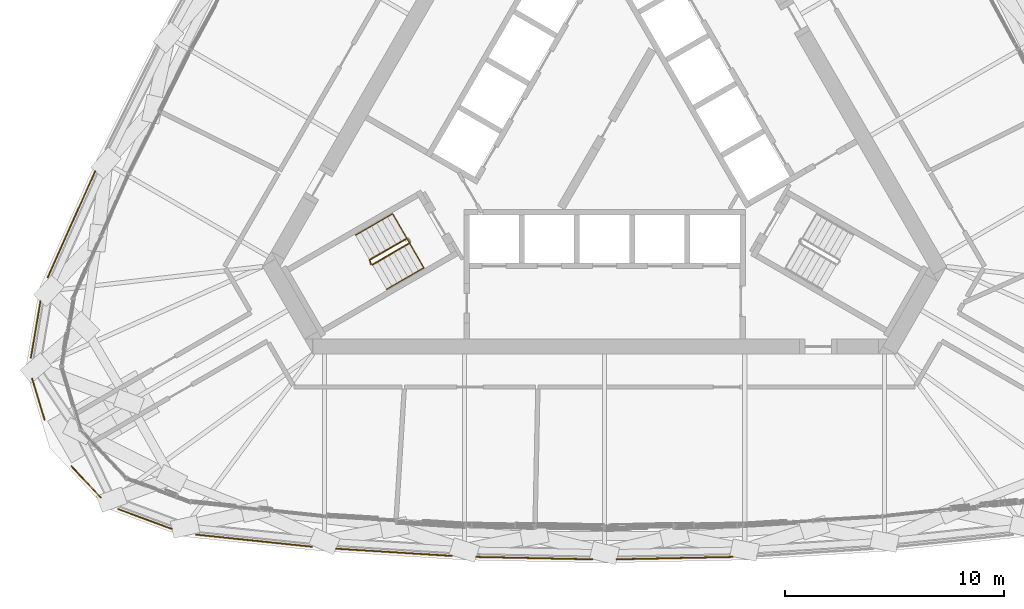
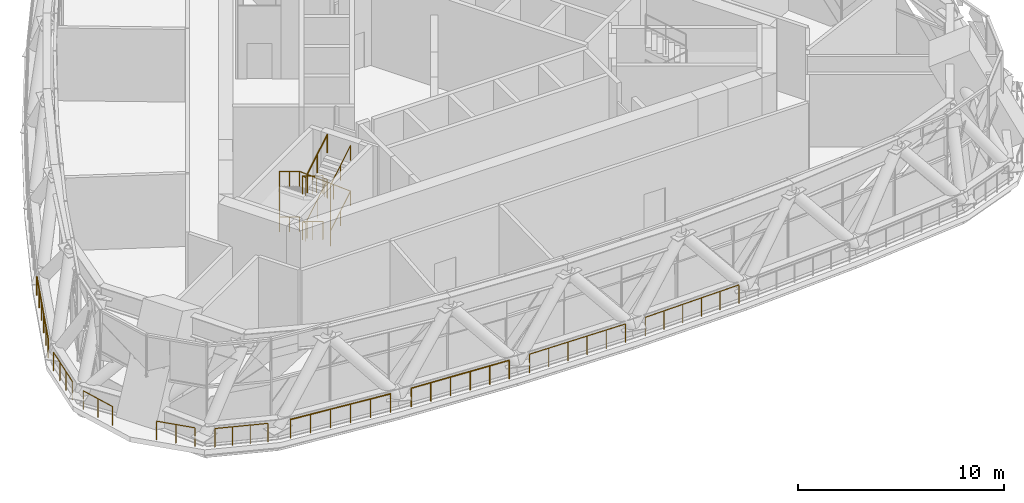
# One storey, part 30 of 33: 14 railings.
"""IFC4 building model written with IfcOpenShell, lengths in metres."""

from ifc_helpers import new_model, si_unit, direction, frame, origin, origin_2d, place, context, subcontext, project, spatial, circle, extrude, material, type_object, element, save


model = new_model("IFC4")

# Units and contexts
model_context = context("Model", 3, precision=1e-05, world=origin(), true_north=direction((0.0, 1.0)))
body_context = subcontext(model_context, "Body", "Model", "MODEL_VIEW")
ifc_project = project(units=[si_unit("LENGTHUNIT", "METRE"), si_unit("AREAUNIT", "SQUARE_METRE"), si_unit("VOLUMEUNIT", "CUBIC_METRE"), si_unit("PLANEANGLEUNIT", "RADIAN"), si_unit("MASSUNIT", "GRAM", prefix="KILO")], contexts=[model_context])

# Site, building, storey
site_placement = place(None, origin())
site = spatial("IfcSite", under=ifc_project, at=site_placement, CompositionType="ELEMENT")
building_placement = place(site_placement, origin())
building = spatial("IfcBuilding", under=site, at=building_placement, Name="Mestral Congress Tower", CompositionType="ELEMENT")
storey_placement = place(building_placement, frame((0.0, 0.0, 256.199951171875)))
storey = spatial("IfcBuildingStorey", under=building, at=storey_placement, Name="L60", CompositionType="ELEMENT", Elevation=256.199951171875)

# Railings
ifc_material_1 = material(Name="Stainless steel", Category="steel")
railing_type_1 = type_object("IfcRailingType", Name="Facade guard 1120 steel and glass", PredefinedType="GUARDRAIL", material=ifc_material_1)
railing_1_placement = place(storey_placement, frame((-18.646240234375, -18.5908203125, 0.0)))
element("IfcRailing", 1, at=railing_1_placement, inside=storey, type_object=railing_type_1, Name="Band guard F0-00", PredefinedType="GUARDRAIL", context=body_context, shape_type="SweptSolid", body=[
    extrude(circle(Radius=0.02392578125, at=origin_2d()), frame((0.0, 0.0, 1.09619140625), z_axis=(0.994617224528, -0.103617453507, 0.0), x_axis=(0.103617453507, 0.994617224528, 0.0)), (0.0, 0.0, 1.0), 5.310791015625),
    extrude(circle(Radius=0.02099609375, at=origin_2d()), origin(), (0.0, 0.0, 1.0), 1.072021484375),
    extrude(circle(Radius=0.02099609375, at=origin_2d()), frame((1.056396484375, -0.110107421875, 0.0)), (0.0, 0.0, 1.0), 1.072021484375),
    extrude(circle(Radius=0.02099609375, at=origin_2d()), frame((2.11279296875, -0.22021484375, 0.0)), (0.0, 0.0, 1.0), 1.072021484375),
    extrude(circle(Radius=0.02099609375, at=origin_2d()), frame((3.16943359375, -0.330078125, 0.0)), (0.0, 0.0, 1.0), 1.072021484375),
    extrude(circle(Radius=0.02099609375, at=origin_2d()), frame((4.225830078125, -0.440185546875, 0.0)), (0.0, 0.0, 1.0), 1.072021484375),
    extrude(circle(Radius=0.02099609375, at=origin_2d()), frame((5.2822265625, -0.55029296875, 0.0)), (0.0, 0.0, 1.0), 1.072021484375),
])
railing_2_placement = place(storey_placement, frame((-12.25439453125, -19.2333984375, 0.0)))
element("IfcRailing", 2, at=railing_2_placement, inside=storey, type_object=railing_type_1, Name="Band guard F0-01", PredefinedType="GUARDRAIL", context=body_context, shape_type="SweptSolid", body=[
    extrude(circle(Radius=0.02392578125, at=origin_2d()), frame((0.0, 0.0, 1.09619140625), z_axis=(0.9980633213, -0.062206162685, 0.0), x_axis=(0.062206162685, 0.9980633213, 0.0)), (0.0, 0.0, 1.0), 5.29833984375),
    extrude(circle(Radius=0.02099609375, at=origin_2d()), origin(), (0.0, 0.0, 1.0), 1.072021484375),
    extrude(circle(Radius=0.02099609375, at=origin_2d()), frame((1.0576171875, -0.06591796875, 0.0)), (0.0, 0.0, 1.0), 1.072021484375),
    extrude(circle(Radius=0.02099609375, at=origin_2d()), frame((2.115234375, -0.1318359375, 0.0)), (0.0, 0.0, 1.0), 1.072021484375),
    extrude(circle(Radius=0.02099609375, at=origin_2d()), frame((3.1728515625, -0.19775390625, 0.0)), (0.0, 0.0, 1.0), 1.072021484375),
    extrude(circle(Radius=0.02099609375, at=origin_2d()), frame((4.23046875, -0.263671875, 0.0)), (0.0, 0.0, 1.0), 1.072021484375),
    extrude(circle(Radius=0.02099609375, at=origin_2d()), frame((5.2880859375, -0.32958984375, 0.0)), (0.0, 0.0, 1.0), 1.072021484375),
])
railing_3_placement = place(storey_placement, frame((-5.853759765625, -19.609130859375, 0.0)))
element("IfcRailing", 3, at=railing_3_placement, inside=storey, type_object=railing_type_1, Name="Band guard F0-02", PredefinedType="GUARDRAIL", context=body_context, shape_type="SweptSolid", body=[
    extrude(circle(Radius=0.02392578125, at=origin_2d()), frame((0.0, 0.0, 1.09619140625), z_axis=(0.999784971715, -0.020736690508, 0.0), x_axis=(0.020736690508, 0.999784971715, 0.0)), (0.0, 0.0, 1.0), 5.298095703125),
    extrude(circle(Radius=0.02099609375, at=origin_2d()), origin(), (0.0, 0.0, 1.0), 1.072021484375),
    extrude(circle(Radius=0.02099609375, at=origin_2d()), frame((1.059326171875, -0.02197265625, 0.0)), (0.0, 0.0, 1.0), 1.072021484375),
    extrude(circle(Radius=0.02099609375, at=origin_2d()), frame((2.11865234375, -0.0439453125, 0.0)), (0.0, 0.0, 1.0), 1.072021484375),
    extrude(circle(Radius=0.02099609375, at=origin_2d()), frame((3.17822265625, -0.06591796875, 0.0)), (0.0, 0.0, 1.0), 1.072021484375),
    extrude(circle(Radius=0.02099609375, at=origin_2d()), frame((4.237548828125, -0.087890625, 0.0)), (0.0, 0.0, 1.0), 1.072021484375),
    extrude(circle(Radius=0.02099609375, at=origin_2d()), frame((5.296875, -0.10986328125, 0.0)), (0.0, 0.0, 1.0), 1.072021484375),
])
railing_4_placement = place(storey_placement, frame((0.556884765625, -19.718994140625, 0.0)))
element("IfcRailing", 4, at=railing_4_placement, inside=storey, type_object=railing_type_1, Name="Band guard F0-03", PredefinedType="GUARDRAIL", context=body_context, shape_type="SweptSolid", body=[
    extrude(circle(Radius=0.02392578125, at=origin_2d()), frame((0.0, 0.0, 1.09619140625), z_axis=(0.999784971715, 0.020736690508, 0.0), x_axis=(-0.020736690508, 0.999784971715, 0.0)), (0.0, 0.0, 1.0), 5.298095703125),
    extrude(circle(Radius=0.02099609375, at=origin_2d()), origin(), (0.0, 0.0, 1.0), 1.072021484375),
    extrude(circle(Radius=0.02099609375, at=origin_2d()), frame((1.059326171875, 0.02197265625, 0.0)), (0.0, 0.0, 1.0), 1.072021484375),
    extrude(circle(Radius=0.02099609375, at=origin_2d()), frame((2.11865234375, 0.0439453125, 0.0)), (0.0, 0.0, 1.0), 1.072021484375),
    extrude(circle(Radius=0.02099609375, at=origin_2d()), frame((3.17822265625, 0.06591796875, 0.0)), (0.0, 0.0, 1.0), 1.072021484375),
    extrude(circle(Radius=0.02099609375, at=origin_2d()), frame((4.237548828125, 0.087890625, 0.0)), (0.0, 0.0, 1.0), 1.072021484375),
    extrude(circle(Radius=0.02099609375, at=origin_2d()), frame((5.296875, 0.10986328125, 0.0)), (0.0, 0.0, 1.0), 1.072021484375),
])
railing_5_placement = place(storey_placement, frame((-23.2587890625, -2.003173828125, 0.0)))
element("IfcRailing", 5, at=railing_5_placement, inside=storey, type_object=railing_type_1, Name="Band guard F2-05", PredefinedType="GUARDRAIL", context=body_context, shape_type="SweptSolid", body=[
    extrude(circle(Radius=0.02392578125, at=origin_2d()), frame((0.0, 0.0, 1.09619140625), z_axis=(-0.407596762386, -0.913162022476, 0.0), x_axis=(0.913162022476, -0.407596762386, 0.0)), (0.0, 0.0, 1.0), 5.310546875),
    extrude(circle(Radius=0.02099609375, at=origin_2d()), origin(), (0.0, 0.0, 1.0), 1.072021484375),
    extrude(circle(Radius=0.02099609375, at=origin_2d()), frame((-0.432861328125, -0.969970703125, 0.0)), (0.0, 0.0, 1.0), 1.072021484375),
    extrude(circle(Radius=0.02099609375, at=origin_2d()), frame((-0.86572265625, -1.939697265625, 0.0)), (0.0, 0.0, 1.0), 1.072021484375),
    extrude(circle(Radius=0.02099609375, at=origin_2d()), frame((-1.298828125, -2.90966796875, 0.0)), (0.0, 0.0, 1.0), 1.072021484375),
    extrude(circle(Radius=0.02099609375, at=origin_2d()), frame((-1.731689453125, -3.87939453125, 0.0)), (0.0, 0.0, 1.0), 1.072021484375),
    extrude(circle(Radius=0.02099609375, at=origin_2d()), frame((-2.16455078125, -4.849365234375, 0.0)), (0.0, 0.0, 1.0), 1.072021484375),
])
railing_6_placement = place(storey_placement, frame((-25.75390625, -7.941650390625, 0.0)))
element("IfcRailing", 6, at=railing_6_placement, inside=storey, type_object=railing_type_1, Name="Band guard K2-0", PredefinedType="GUARDRAIL", context=body_context, shape_type="SweptSolid", body=[
    extrude(circle(Radius=0.02392578125, at=origin_2d()), frame((0.0, 0.0, 1.09619140625), z_axis=(-0.167675521234, -0.985842238687, 0.0), x_axis=(0.985842238687, -0.167675521234, 0.0)), (0.0, 0.0, 1.0), 2.609130859375),
    extrude(circle(Radius=0.02099609375, at=origin_2d()), origin(), (0.0, 0.0, 1.0), 1.072021484375),
    extrude(circle(Radius=0.02099609375, at=origin_2d()), frame((-0.145751953125, -0.857421875, 0.0)), (0.0, 0.0, 1.0), 1.072021484375),
    extrude(circle(Radius=0.02099609375, at=origin_2d()), frame((-0.291748046875, -1.71484375, 0.0)), (0.0, 0.0, 1.0), 1.072021484375),
    extrude(circle(Radius=0.02099609375, at=origin_2d()), frame((-0.4375, -2.572265625, 0.0)), (0.0, 0.0, 1.0), 1.072021484375),
])
railing_7_placement = place(storey_placement, frame((-26.13134765625, -11.475341796875, 0.0)))
element("IfcRailing", 7, at=railing_7_placement, inside=storey, type_object=railing_type_1, Name="Band guard K2-1", PredefinedType="GUARDRAIL", context=body_context, shape_type="SweptSolid", body=[
    extrude(circle(Radius=0.02392578125, at=origin_2d()), frame((0.0, 0.0, 1.09619140625), z_axis=(0.288761854153, -0.957400956541, 0.0), x_axis=(0.957400956541, 0.288761854153, 0.0)), (0.0, 0.0, 1.0), 1.947998046875),
    extrude(circle(Radius=0.02099609375, at=origin_2d()), origin(), (0.0, 0.0, 1.0), 1.072021484375),
    extrude(circle(Radius=0.02099609375, at=origin_2d()), frame((0.28125, -0.9326171875, 0.0)), (0.0, 0.0, 1.0), 1.072021484375),
    extrude(circle(Radius=0.02099609375, at=origin_2d()), frame((0.5625, -1.864990234375, 0.0)), (0.0, 0.0, 1.0), 1.072021484375),
])
railing_8_placement = place(storey_placement, frame((-24.33740234375, -15.472900390625, 0.0)))
element("IfcRailing", 8, at=railing_8_placement, inside=storey, type_object=railing_type_1, Name="Band guard K2-2", PredefinedType="GUARDRAIL", context=body_context, shape_type="SweptSolid", body=[
    extrude(circle(Radius=0.02392578125, at=origin_2d()), frame((0.0, 0.0, 1.09619140625), z_axis=(0.684703707321, -0.728821537264, 0.0), x_axis=(0.728821537264, 0.684703707321, 0.0)), (0.0, 0.0, 1.0), 1.947998046875),
    extrude(circle(Radius=0.02099609375, at=origin_2d()), origin(), (0.0, 0.0, 1.0), 1.072021484375),
    extrude(circle(Radius=0.02099609375, at=origin_2d()), frame((0.6669921875, -0.7099609375, 0.0)), (0.0, 0.0, 1.0), 1.072021484375),
    extrude(circle(Radius=0.02099609375, at=origin_2d()), frame((1.333740234375, -1.419677734375, 0.0)), (0.0, 0.0, 1.0), 1.072021484375),
])
railing_9_placement = place(storey_placement, frame((-22.200927734375, -17.42529296875, 0.0)))
element("IfcRailing", 9, at=railing_9_placement, inside=storey, type_object=railing_type_1, Name="Band guard K2-3", PredefinedType="GUARDRAIL", context=body_context, shape_type="SweptSolid", body=[
    extrude(circle(Radius=0.02392578125, at=origin_2d()), frame((0.0, 0.0, 1.09619140625), z_axis=(0.937569171184, -0.347798863203, 0.0), x_axis=(0.347798863203, 0.937569171184, 0.0)), (0.0, 0.0, 1.0), 2.609130859375),
    extrude(circle(Radius=0.02099609375, at=origin_2d()), origin(), (0.0, 0.0, 1.0), 1.072021484375),
    extrude(circle(Radius=0.02099609375, at=origin_2d()), frame((0.8154296875, -0.302490234375, 0.0)), (0.0, 0.0, 1.0), 1.072021484375),
    extrude(circle(Radius=0.02099609375, at=origin_2d()), frame((1.630859375, -0.60498046875, 0.0)), (0.0, 0.0, 1.0), 1.072021484375),
    extrude(circle(Radius=0.02099609375, at=origin_2d()), frame((2.4462890625, -0.907470703125, 0.0)), (0.0, 0.0, 1.0), 1.072021484375),
])
ifc_material_2 = material(Name="Steel balustrade", Category="steel")
railing_type_2 = type_object("IfcRailingType", Name="Stair guard 1100", PredefinedType="GUARDRAIL", material=ifc_material_2)
railing_10_placement = place(storey_placement, frame((-9.02587890625, -5.066650390625, 0.168701171875)))
element("IfcRailing", 10, at=railing_10_placement, inside=storey, type_object=railing_type_2, Name="L60 ST3 stair guard 1", PredefinedType="GUARDRAIL", context=body_context, shape_type="SweptSolid", body=[
    extrude(circle(Radius=0.02392578125, at=origin_2d()), frame((0.0, 0.0, 1.076171875), z_axis=(-0.741730552229, -0.428204578836, 0.516213741153), x_axis=(0.499970440388, -0.866042469362, 0.0)), (0.0, 0.0, 1.0), 2.28857421875),
    extrude(circle(Radius=0.02392578125, at=origin_2d()), frame((-1.697509765625, -0.97998046875, 2.25732421875), z_axis=(0.275815366736, -0.96121063429, 0.0), x_axis=(0.96121063429, 0.275815366736, 0.0)), (0.0, 0.0, 1.0), 0.206298828125),
    extrude(circle(Radius=0.02099609375, at=origin_2d()), origin(), (0.0, 0.0, 1.0), 1.052001953125),
    extrude(circle(Radius=0.02099609375, at=origin_2d()), frame((-0.8486328125, -0.489990234375, 0.5908203125)), (0.0, 0.0, 1.0), 1.052001953125),
    extrude(circle(Radius=0.02099609375, at=origin_2d()), frame((-1.697509765625, -0.97998046875, 1.181396484375)), (0.0, 0.0, 1.0), 1.052001953125),
    extrude(circle(Radius=0.02099609375, at=origin_2d()), frame((-1.640625, -1.17822265625, 1.181396484375)), (0.0, 0.0, 1.0), 1.052001953125),
])
railing_11_placement = place(storey_placement, frame((-10.598388671875, -6.26318359375, 1.518798828125)))
element("IfcRailing", 11, at=railing_11_placement, inside=storey, type_object=railing_type_2, Name="L60 ST3 stair guard 2", PredefinedType="GUARDRAIL", context=body_context, shape_type="SweptSolid", body=[
    extrude(circle(Radius=0.02392578125, at=origin_2d()), frame((0.0, 0.0, 1.076171875), z_axis=(0.741771397394, 0.428228158944, 0.516135484049), x_axis=(-0.499970440388, 0.866042469362, 0.0)), (0.0, 0.0, 1.0), 2.28857421875),
    extrude(circle(Radius=0.02392578125, at=origin_2d()), frame((1.697509765625, 0.97998046875, 2.25732421875), z_axis=(0.258736085224, 0.965948051503, 0.0), x_axis=(-0.965948051503, 0.258736085224, 0.0)), (0.0, 0.0, 1.0), 0.07080078125),
    extrude(circle(Radius=0.02392578125, at=origin_2d()), frame((1.7158203125, 1.04833984375, 2.25732421875), z_axis=(-0.499816412211, 0.866131372301, 0.0), x_axis=(-0.866131372301, -0.499816412211, 0.0)), (0.0, 0.0, 1.0), 0.14990234375),
    extrude(circle(Radius=0.02099609375, at=origin_2d()), origin(), (0.0, 0.0, 1.0), 1.052001953125),
    extrude(circle(Radius=0.02099609375, at=origin_2d()), frame((0.8486328125, 0.489990234375, 0.590576171875)), (0.0, 0.0, 1.0), 1.052001953125),
    extrude(circle(Radius=0.02099609375, at=origin_2d()), frame((1.697509765625, 0.97998046875, 1.18115234375)), (0.0, 0.0, 1.0), 1.052001953125),
    extrude(circle(Radius=0.02099609375, at=origin_2d()), frame((1.7158203125, 1.04833984375, 1.18115234375)), (0.0, 0.0, 1.0), 1.052001953125),
    extrude(circle(Radius=0.02099609375, at=origin_2d()), frame((1.640869140625, 1.17822265625, 1.18115234375)), (0.0, 0.0, 1.0), 1.052001953125),
])
railing_12_placement = place(storey_placement, frame((-9.02587890625, -5.066650390625, 2.868896484375)))
element("IfcRailing", 12, at=railing_12_placement, inside=storey, type_object=railing_type_2, Name="L60 ST3 stair guard 3", PredefinedType="GUARDRAIL", context=body_context, shape_type="SweptSolid", body=[
    extrude(circle(Radius=0.02392578125, at=origin_2d()), frame((0.0, 0.0, 1.076171875), z_axis=(-0.741771397394, -0.428228158944, 0.516135484049), x_axis=(0.499970440388, -0.866042469362, 0.0)), (0.0, 0.0, 1.0), 2.28857421875),
    extrude(circle(Radius=0.02392578125, at=origin_2d()), frame((-1.697509765625, -0.97998046875, 2.25732421875), z_axis=(0.275815366736, -0.96121063429, 0.0), x_axis=(0.96121063429, 0.275815366736, 0.0)), (0.0, 0.0, 1.0), 0.206298828125),
    extrude(circle(Radius=0.02099609375, at=origin_2d()), origin(), (0.0, 0.0, 1.0), 1.052001953125),
    extrude(circle(Radius=0.02099609375, at=origin_2d()), frame((-0.8486328125, -0.489990234375, 0.590576171875)), (0.0, 0.0, 1.0), 1.052001953125),
    extrude(circle(Radius=0.02099609375, at=origin_2d()), frame((-1.697509765625, -0.97998046875, 1.18115234375)), (0.0, 0.0, 1.0), 1.052001953125),
    extrude(circle(Radius=0.02099609375, at=origin_2d()), frame((-1.640625, -1.17822265625, 1.18115234375)), (0.0, 0.0, 1.0), 1.052001953125),
])
railing_13_placement = place(storey_placement, frame((-10.598388671875, -6.26318359375, 4.21875)))
element("IfcRailing", 13, at=railing_13_placement, inside=storey, type_object=railing_type_2, Name="L60 ST3 stair guard 4", PredefinedType="GUARDRAIL", context=body_context, shape_type="SweptSolid", body=[
    extrude(circle(Radius=0.02392578125, at=origin_2d()), frame((0.0, 0.0, 1.076171875), z_axis=(0.741730552229, 0.428204578836, 0.516213741153), x_axis=(-0.499970440388, 0.866042469362, 0.0)), (0.0, 0.0, 1.0), 2.28857421875),
    extrude(circle(Radius=0.02099609375, at=origin_2d()), origin(), (0.0, 0.0, 1.0), 1.052001953125),
    extrude(circle(Radius=0.02099609375, at=origin_2d()), frame((0.8486328125, 0.489990234375, 0.5908203125)), (0.0, 0.0, 1.0), 1.052001953125),
    extrude(circle(Radius=0.02099609375, at=origin_2d()), frame((1.697509765625, 0.97998046875, 1.181396484375)), (0.0, 0.0, 1.0), 1.052001953125),
])
ifc_material_3 = material(Name="Steel handrail", Category="steel")
railing_type_3 = type_object("IfcRailingType", Name="Stair handrail 900", PredefinedType="HANDRAIL", material=ifc_material_3)
railing_14_placement = place(storey_placement, frame((-9.67578125, -3.94091796875, 0.168701171875)))
element("IfcRailing", 14, at=railing_14_placement, inside=storey, type_object=railing_type_3, Name="L60 ST3 stair handrail 1", PredefinedType="HANDRAIL", context=body_context, shape_type="SweptSolid", body=[
    extrude(circle(Radius=0.02392578125, at=origin_2d()), frame((0.0, 0.0, 0.8759765625), z_axis=(-0.741730552229, -0.428204578836, 0.516213741153), x_axis=(0.499970440388, -0.866042469362, 0.0)), (0.0, 0.0, 1.0), 2.28857421875),
    extrude(circle(Radius=0.02392578125, at=origin_2d()), frame((-1.697509765625, -0.97998046875, 2.05712890625), z_axis=(0.0, 0.0, 1.0), x_axis=(1.0, 0.0, 0.0)), (0.0, 0.0, 1.0), 2.699951171875),
    extrude(circle(Radius=0.02392578125, at=origin_2d()), frame((-1.697509765625, -0.97998046875, 4.75732421875), z_axis=(0.741771397394, 0.428228158944, -0.516135484049), x_axis=(-0.499970440388, 0.866042469362, 0.0)), (0.0, 0.0, 1.0), 2.28857421875),
    extrude(circle(Radius=0.02392578125, at=origin_2d()), frame((0.0, 0.0, 3.576171875), z_axis=(0.499058937937, -0.86454521291, -0.059175597165), x_axis=(0.866062911188, 0.499935029643, 0.0)), (0.0, 0.0, 1.0), 2.85498046875),
    extrude(circle(Radius=0.02392578125, at=origin_2d()), frame((1.4248046875, -2.46826171875, 3.4072265625), z_axis=(-0.74172340804, -0.428262048313, -0.516176330279), x_axis=(0.500024377727, -0.866011328839, 0.0)), (0.0, 0.0, 1.0), 2.288330078125),
    extrude(circle(Radius=0.02392578125, at=origin_2d()), frame((-0.2724609375, -3.4482421875, 2.22607421875), z_axis=(0.0, 0.0, 1.0), x_axis=(1.0, 0.0, 0.0)), (0.0, 0.0, 1.0), 2.699951171875),
    extrude(circle(Radius=0.02392578125, at=origin_2d()), frame((-0.2724609375, -3.4482421875, 4.92578125), z_axis=(0.741682559053, 0.428238462606, 0.516254589076), x_axis=(-0.500024377727, 0.866011328839, 0.0)), (0.0, 0.0, 1.0), 2.288330078125),
    extrude(circle(Radius=0.02099609375, at=origin_2d()), origin(), (0.0, 0.0, 1.0), 0.851806640625),
    extrude(circle(Radius=0.02099609375, at=origin_2d()), frame((-0.8486328125, -0.489990234375, 0.5908203125)), (0.0, 0.0, 1.0), 0.851806640625),
    extrude(circle(Radius=0.02099609375, at=origin_2d()), frame((-1.697509765625, -0.97998046875, 1.181396484375)), (0.0, 0.0, 1.0), 0.851806640625),
    extrude(circle(Radius=0.02099609375, at=origin_2d()), frame((-1.697509765625, -0.97998046875, 2.081298828125)), (0.0, 0.0, 1.0), 0.851806640625),
    extrude(circle(Radius=0.02099609375, at=origin_2d()), frame((-1.697509765625, -0.97998046875, 2.9814453125)), (0.0, 0.0, 1.0), 0.851806640625),
    extrude(circle(Radius=0.02099609375, at=origin_2d()), frame((-1.697509765625, -0.97998046875, 3.88134765625)), (0.0, 0.0, 1.0), 0.851806640625),
    extrude(circle(Radius=0.02099609375, at=origin_2d()), frame((-0.8486328125, -0.489990234375, 3.290771484375)), (0.0, 0.0, 1.0), 0.851806640625),
    extrude(circle(Radius=0.02099609375, at=origin_2d()), frame((0.0, 0.0, 2.7001953125)), (0.0, 0.0, 1.0), 0.851806640625),
    extrude(circle(Radius=0.02099609375, at=origin_2d()), frame((0.474853515625, -0.82275390625, 2.643798828125)), (0.0, 0.0, 1.0), 0.851806640625),
    extrude(circle(Radius=0.02099609375, at=origin_2d()), frame((0.949951171875, -1.6455078125, 2.587646484375)), (0.0, 0.0, 1.0), 0.851806640625),
    extrude(circle(Radius=0.02099609375, at=origin_2d()), frame((1.4248046875, -2.46826171875, 2.53125)), (0.0, 0.0, 1.0), 0.851806640625),
    extrude(circle(Radius=0.02099609375, at=origin_2d()), frame((0.576171875, -2.958251953125, 1.940673828125)), (0.0, 0.0, 1.0), 0.851806640625),
    extrude(circle(Radius=0.02099609375, at=origin_2d()), frame((-0.2724609375, -3.4482421875, 1.35009765625)), (0.0, 0.0, 1.0), 0.851806640625),
    extrude(circle(Radius=0.02099609375, at=origin_2d()), frame((-0.2724609375, -3.4482421875, 2.25)), (0.0, 0.0, 1.0), 0.851806640625),
    extrude(circle(Radius=0.02099609375, at=origin_2d()), frame((-0.2724609375, -3.4482421875, 3.150146484375)), (0.0, 0.0, 1.0), 0.851806640625),
    extrude(circle(Radius=0.02099609375, at=origin_2d()), frame((-0.2724609375, -3.4482421875, 4.050048828125)), (0.0, 0.0, 1.0), 0.851806640625),
    extrude(circle(Radius=0.02099609375, at=origin_2d()), frame((0.576171875, -2.958251953125, 4.640625)), (0.0, 0.0, 1.0), 0.851806640625),
    extrude(circle(Radius=0.02099609375, at=origin_2d()), frame((1.4248046875, -2.46826171875, 5.2314453125)), (0.0, 0.0, 1.0), 0.851806640625),
])

save(model, "model.ifc")
